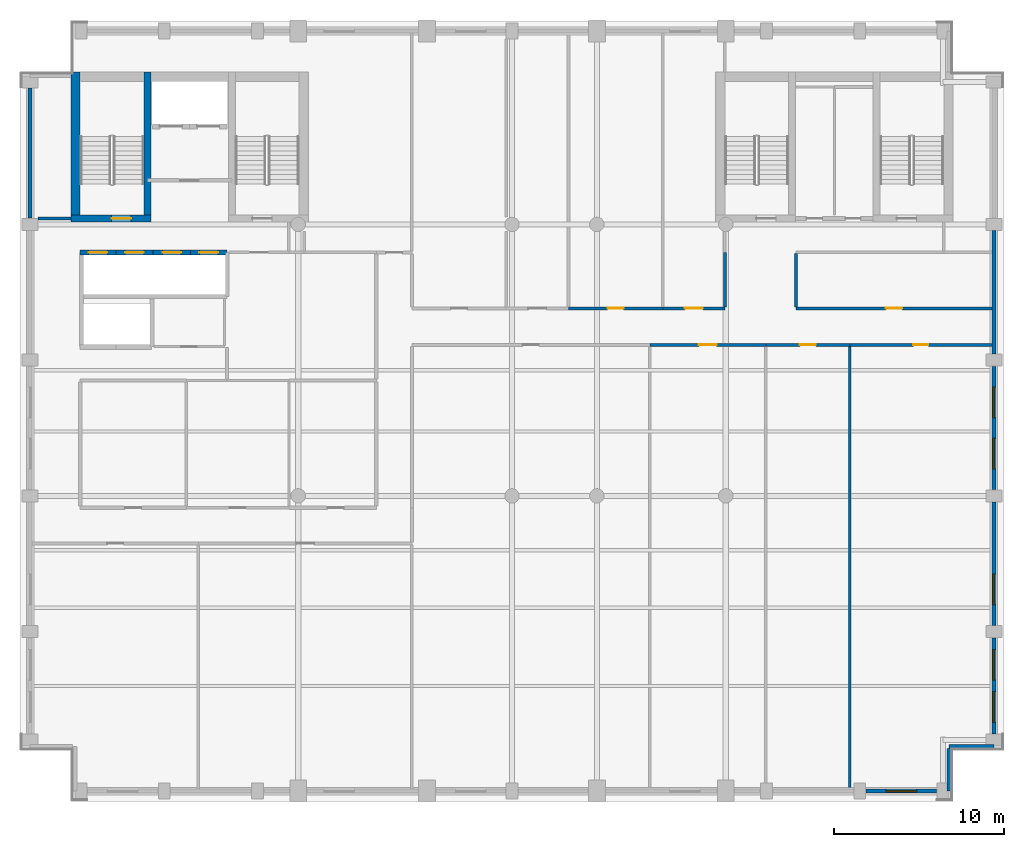
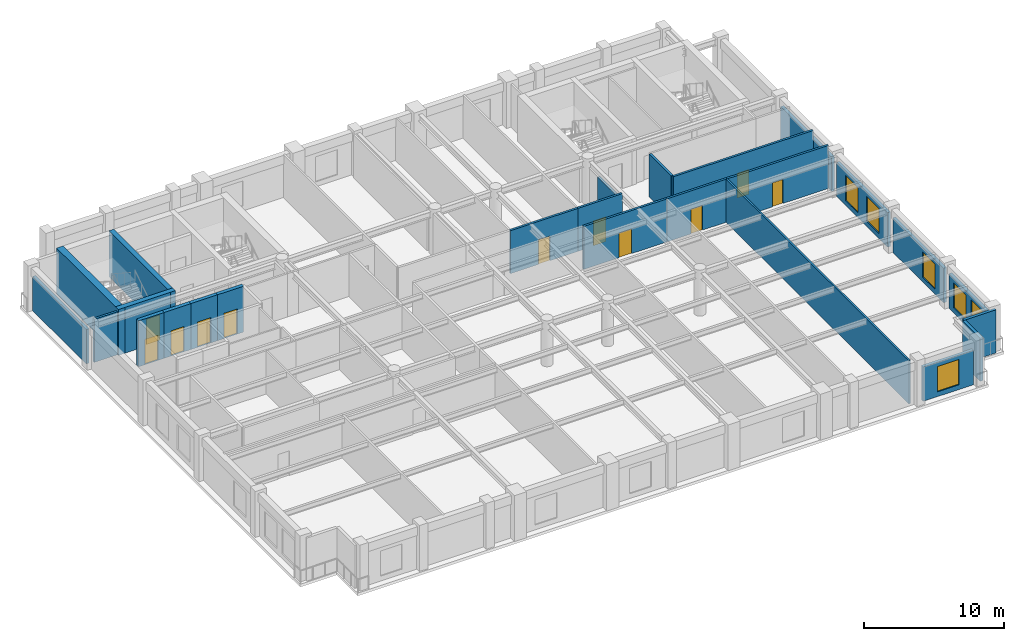
# One storey, part 4 of 9: 25 walls, 11 doors, 6 windows, 17 openings.
"""IFC4 building model written with IfcOpenShell, lengths in metres."""

from ifc_helpers import new_model, si_unit, direction, frame, frame_2d, origin, place, context, subcontext, project, spatial, rectangle, extrude, material, layer, layer_set, type_object, element, fill, save


model = new_model("IFC4")

# Units and contexts
model_context = context("Model", 3, precision=1e-05, world=origin(), true_north=direction((0.0, 1.0)))
body_context = subcontext(model_context, "Body", "Model", "MODEL_VIEW")
ifc_project = project(units=[si_unit("LENGTHUNIT", "METRE"), si_unit("AREAUNIT", "SQUARE_METRE"), si_unit("VOLUMEUNIT", "CUBIC_METRE"), si_unit("PLANEANGLEUNIT", "RADIAN"), si_unit("MASSUNIT", "GRAM", prefix="KILO")], contexts=[model_context])

# Site, building, storey
site_placement = place(None, origin())
site = spatial("IfcSite", under=ifc_project, at=site_placement, CompositionType="ELEMENT")
building_placement = place(site_placement, origin())
building = spatial("IfcBuilding", under=site, at=building_placement, Name="Sulina Concourse Tower", CompositionType="ELEMENT")
storey_placement = place(building_placement, frame((0.0, 0.0, 272.60009765625)))
storey = spatial("IfcBuildingStorey", under=building, at=storey_placement, Name="L66", CompositionType="ELEMENT", Elevation=272.60009765625)

# Wall, opening, door
ifc_material_1 = material(Name="Concrete C50/60", Category="concrete")
ifc_layer_1 = layer(ifc_material_1, 0.300048828125)
ifc_layer_set_1 = layer_set([ifc_layer_1], Name="Concrete C50/60")
wall_type_1 = type_object("IfcWallType", Name="Core Lift Hoistway Wall 300mm", PredefinedType="SOLIDWALL", material=ifc_layer_set_1)
wall_1_placement = place(storey_placement, frame((3.550048828125, 32.35009765625, 0.0), z_axis=(0.0, 0.0, 1.0), x_axis=(1.0, 0.0, 0.0)))
wall_1 = element("IfcWall", 1, at=wall_1_placement, inside=storey, type_object=wall_type_1, Name="L66 hoistway enclosure wall LP-09", PredefinedType="SOLIDWALL", context=body_context, shape_type="SweptSolid", body=[
    extrude(rectangle(XDim=2.099853515625, YDim=0.300048828125, at=frame_2d((1.0498046875, 0.0))), origin(), (0.0, 0.0, 1.0), 4.0),
])
opening_1_placement = place(wall_1_placement, frame((0.5, 0.0, 0.0)))
opening_1 = element("IfcOpeningElement", 2, at=opening_1_placement, cuts=wall_1, Name="Opening LD-01", PredefinedType="OPENING", context=body_context, shape_type="SweptSolid", body=[
    extrude(rectangle(XDim=1.10009765625, YDim=2.199951171875, at=frame_2d((0.550048828125, 1.10009765625))), frame((0.0, 0.159912109375, 0.0), z_axis=(0.0, -1.0, 0.0), x_axis=(1.0, 0.0, 0.0)), (0.0, 0.0, 1.0), 0.320068359375),
])
ifc_material_2 = material(Name="Stainless steel lift landing door", Category="steel")
ifc_layer_2 = layer(ifc_material_2, 0.050048828125)
ifc_layer_set_2 = layer_set([ifc_layer_2], Name="Stainless steel lift landing door")
door_type_1 = type_object("IfcDoorType", Name="Passenger Lift Sliding Landing Door 1100x2200", OperationType="SLIDING_TO_LEFT", PredefinedType="DOOR", material=ifc_layer_set_2)
door_1_placement = place(opening_1_placement, origin())
door_1 = element("IfcDoor", 3, at=door_1_placement, inside=storey, type_object=door_type_1, Name="L66 lift landing sliding door LP-09", OperationType="SLIDING_TO_LEFT", OverallHeight=2.199951171875, OverallWidth=1.10009765625, PredefinedType="DOOR", context=body_context, shape_type="SweptSolid", body=[
    extrude(rectangle(XDim=1.10009765625, YDim=2.199951171875, at=frame_2d((0.550048828125, 1.10009765625))), frame((0.0, 0.02490234375, 0.0), z_axis=(0.0, -1.0, 0.0), x_axis=(1.0, 0.0, 0.0)), (0.0, 0.0, 1.0), 0.050048828125),
])
fill(opening_1, door_1)

wall_2_placement = place(storey_placement, frame((5.64990234375, 32.35009765625, 0.0), z_axis=(0.0, 0.0, 1.0), x_axis=(1.0, 0.0, 0.0)))
wall_2 = element("IfcWall", 4, at=wall_2_placement, inside=storey, type_object=wall_type_1, Name="L66 hoistway enclosure wall LP-10", PredefinedType="SOLIDWALL", context=body_context, shape_type="SweptSolid", body=[
    extrude(rectangle(XDim=2.2001953125, YDim=0.300048828125, at=frame_2d((1.10009765625, 0.0))), origin(), (0.0, 0.0, 1.0), 4.0),
])
opening_2_placement = place(wall_2_placement, frame((0.550048828125, 0.0, 0.0)))
opening_2 = element("IfcOpeningElement", 5, at=opening_2_placement, cuts=wall_2, Name="Opening LD-01", PredefinedType="OPENING", context=body_context, shape_type="SweptSolid", body=[
    extrude(rectangle(XDim=1.10009765625, YDim=2.199951171875, at=frame_2d((0.550048828125, 1.10009765625))), frame((0.0, 0.159912109375, 0.0), z_axis=(0.0, -1.0, 0.0), x_axis=(1.0, 0.0, 0.0)), (0.0, 0.0, 1.0), 0.320068359375),
])
door_2_placement = place(opening_2_placement, origin())
door_2 = element("IfcDoor", 6, at=door_2_placement, inside=storey, type_object=door_type_1, Name="L66 lift landing sliding door LP-10", OperationType="SLIDING_TO_RIGHT", OverallHeight=2.199951171875, OverallWidth=1.10009765625, PredefinedType="DOOR", context=body_context, shape_type="SweptSolid", body=[
    extrude(rectangle(XDim=1.10009765625, YDim=2.199951171875, at=frame_2d((0.550048828125, 1.10009765625))), frame((0.0, 0.02490234375, 0.0), z_axis=(0.0, -1.0, 0.0), x_axis=(1.0, 0.0, 0.0)), (0.0, 0.0, 1.0), 0.050048828125),
])
fill(opening_2, door_2)

wall_3_placement = place(storey_placement, frame((7.85009765625, 32.35009765625, 0.0), z_axis=(0.0, 0.0, 1.0), x_axis=(1.0, 0.0, 0.0)))
wall_3 = element("IfcWall", 7, at=wall_3_placement, inside=storey, type_object=wall_type_1, Name="L66 hoistway enclosure wall LP-11", PredefinedType="SOLIDWALL", context=body_context, shape_type="SweptSolid", body=[
    extrude(rectangle(XDim=2.199951171875, YDim=0.300048828125, at=frame_2d((1.10009765625, 0.0))), origin(), (0.0, 0.0, 1.0), 4.0),
])
opening_3_placement = place(wall_3_placement, frame((0.550048828125, 0.0, 0.0)))
opening_3 = element("IfcOpeningElement", 8, at=opening_3_placement, cuts=wall_3, Name="Opening LD-01", PredefinedType="OPENING", context=body_context, shape_type="SweptSolid", body=[
    extrude(rectangle(XDim=1.10009765625, YDim=2.199951171875, at=frame_2d((0.550048828125, 1.10009765625))), frame((0.0, 0.159912109375, 0.0), z_axis=(0.0, -1.0, 0.0), x_axis=(1.0, 0.0, 0.0)), (0.0, 0.0, 1.0), 0.320068359375),
])
door_3_placement = place(opening_3_placement, origin())
door_3 = element("IfcDoor", 9, at=door_3_placement, inside=storey, type_object=door_type_1, Name="L66 lift landing sliding door LP-11", OperationType="SLIDING_TO_LEFT", OverallHeight=2.199951171875, OverallWidth=1.10009765625, PredefinedType="DOOR", context=body_context, shape_type="SweptSolid", body=[
    extrude(rectangle(XDim=1.10009765625, YDim=2.199951171875, at=frame_2d((0.550048828125, 1.10009765625))), frame((0.0, 0.02490234375, 0.0), z_axis=(0.0, -1.0, 0.0), x_axis=(1.0, 0.0, 0.0)), (0.0, 0.0, 1.0), 0.050048828125),
])
fill(opening_3, door_3)

wall_4_placement = place(storey_placement, frame((10.050048828125, 32.35009765625, 0.0), z_axis=(0.0, 0.0, 1.0), x_axis=(1.0, 0.0, 0.0)))
wall_4 = element("IfcWall", 10, at=wall_4_placement, inside=storey, type_object=wall_type_1, Name="L66 hoistway enclosure wall LP-12", PredefinedType="SOLIDWALL", context=body_context, shape_type="SweptSolid", body=[
    extrude(rectangle(XDim=2.14990234375, YDim=0.300048828125, at=frame_2d((1.074951171875, 0.0))), origin(), (0.0, 0.0, 1.0), 4.0),
])
opening_4_placement = place(wall_4_placement, frame((0.52490234375, 0.0, 0.0)))
opening_4 = element("IfcOpeningElement", 11, at=opening_4_placement, cuts=wall_4, Name="Opening LD-01", PredefinedType="OPENING", context=body_context, shape_type="SweptSolid", body=[
    extrude(rectangle(XDim=1.10009765625, YDim=2.199951171875, at=frame_2d((0.550048828125, 1.10009765625))), frame((0.0, 0.159912109375, 0.0), z_axis=(0.0, -1.0, 0.0), x_axis=(1.0, 0.0, 0.0)), (0.0, 0.0, 1.0), 0.320068359375),
])
door_4_placement = place(opening_4_placement, origin())
door_4 = element("IfcDoor", 12, at=door_4_placement, inside=storey, type_object=door_type_1, Name="L66 lift landing sliding door LP-12", OperationType="SLIDING_TO_RIGHT", OverallHeight=2.199951171875, OverallWidth=1.10009765625, PredefinedType="DOOR", context=body_context, shape_type="SweptSolid", body=[
    extrude(rectangle(XDim=1.10009765625, YDim=2.199951171875, at=frame_2d((0.550048828125, 1.10009765625))), frame((0.0, 0.02490234375, 0.0), z_axis=(0.0, -1.0, 0.0), x_axis=(1.0, 0.0, 0.0)), (0.0, 0.0, 1.0), 0.050048828125),
])
fill(opening_4, door_4)

# Wall, opening, window
ifc_material_3 = material(Name="Precast concrete C50/60", Category="concrete")
ifc_layer_3 = layer(ifc_material_3, 0.239990234375)
ifc_layer_set_3 = layer_set([ifc_layer_3], Name="Precast concrete C50/60")
wall_type_2 = type_object("IfcWallType", Name="Crown Precast Masonry-Frame Facade Wall 240mm", PredefinedType="SOLIDWALL", material=ifc_layer_set_3)
wall_5_placement = place(storey_placement, frame((54.030029296875, 0.60009765625, 0.0), z_axis=(0.0, 0.0, 1.0), x_axis=(-1.0, 0.0, 0.0)))
wall_5 = element("IfcWall", 13, at=wall_5_placement, inside=storey, type_object=wall_type_2, Name="L66 exterior precast wall S10", PredefinedType="SOLIDWALL", context=body_context, shape_type="SweptSolid", body=[
    extrude(rectangle(XDim=4.159912109375, YDim=0.239990234375, at=frame_2d((2.080078125, 0.0))), origin(), (0.0, 0.0, 1.0), 3.0),
])
opening_5_placement = place(wall_5_placement, frame((1.179931640625, 0.0, 0.419921875)))
opening_5 = element("IfcOpeningElement", 14, at=opening_5_placement, cuts=wall_5, Name="Opening WN-25", PredefinedType="OPENING", context=body_context, shape_type="SweptSolid", body=[
    extrude(rectangle(XDim=1.800048828125, YDim=2.199951171875, at=frame_2d((0.89990234375, 1.10009765625))), frame((0.0, 0.1298828125, 0.0), z_axis=(0.0, -1.0, 0.0), x_axis=(1.0, 0.0, 0.0)), (0.0, 0.0, 1.0), 0.260009765625),
])
ifc_material_4 = material(Name="Low-E solar double glazing in bronze aluminium", Category="aluminium")
window_type = type_object("IfcWindowType", Name="Punched Masonry-Frame Window 1800x2200", PartitioningType="SINGLE_PANEL", PredefinedType="WINDOW", material=ifc_material_4)
window_1_placement = place(opening_5_placement, origin())
window_1 = element("IfcWindow", 15, at=window_1_placement, inside=storey, type_object=window_type, Name="L66 punched window S10-1", OverallHeight=2.199951171875, OverallWidth=1.800048828125, PartitioningType="SINGLE_PANEL", PredefinedType="WINDOW", context=body_context, shape_type="SweptSolid", body=[
    extrude(rectangle(XDim=1.800048828125, YDim=2.199951171875, at=frame_2d((0.89990234375, 1.10009765625))), frame((0.0, 0.030029296875, 0.0), z_axis=(0.0, -1.0, 0.0), x_axis=(1.0, 0.0, 0.0)), (0.0, 0.0, 1.0), 0.06005859375),
])
fill(opening_5, window_1)

# Wall
wall_6_placement = place(storey_placement, frame((0.60009765625, 34.3701171875, 0.0), z_axis=(0.0, 0.0, 1.0), x_axis=(0.0, 1.0, 0.0)))
element("IfcWall", 16, at=wall_6_placement, inside=storey, type_object=wall_type_2, Name="L66 exterior precast wall W5", PredefinedType="SOLIDWALL", context=body_context, shape_type="SweptSolid", body=[
    extrude(rectangle(XDim=7.659912109375, YDim=0.239990234375, at=frame_2d((3.830078125, 0.0))), origin(), (0.0, 0.0, 1.0), 3.0),
])

# Wall, openings, windows
wall_7_placement = place(storey_placement, frame((57.39990234375, 9.6298828125, 0.0), z_axis=(0.0, 0.0, 1.0), x_axis=(0.0, -1.0, 0.0)))
wall_7 = element("IfcWall", 17, at=wall_7_placement, inside=storey, type_object=wall_type_2, Name="L66 exterior precast wall E1", PredefinedType="SOLIDWALL", context=body_context, shape_type="SweptSolid", body=[
    extrude(rectangle(XDim=5.659912109375, YDim=0.239990234375, at=frame_2d((2.830078125, 0.0))), origin(), (0.0, 0.0, 1.0), 3.0),
])
opening_6_placement = place(wall_7_placement, frame((0.686767578125, 0.0, 0.419921875)))
opening_6 = element("IfcOpeningElement", 18, at=opening_6_placement, cuts=wall_7, Name="Opening WN-25", PredefinedType="OPENING", context=body_context, shape_type="SweptSolid", body=[
    extrude(rectangle(XDim=1.800048828125, YDim=2.199951171875, at=frame_2d((0.89990234375, 1.10009765625))), frame((0.0, 0.1298828125, 0.0), z_axis=(0.0, -1.0, 0.0), x_axis=(1.0, 0.0, 0.0)), (0.0, 0.0, 1.0), 0.260009765625),
])
opening_7_placement = place(wall_7_placement, frame((3.17333984375, 0.0, 0.419921875)))
opening_7 = element("IfcOpeningElement", 19, at=opening_7_placement, cuts=wall_7, Name="Opening WN-25", PredefinedType="OPENING", context=body_context, shape_type="SweptSolid", body=[
    extrude(rectangle(XDim=1.800048828125, YDim=2.199951171875, at=frame_2d((0.89990234375, 1.10009765625))), frame((0.0, 0.1298828125, 0.0), z_axis=(0.0, -1.0, 0.0), x_axis=(1.0, 0.0, 0.0)), (0.0, 0.0, 1.0), 0.260009765625),
])
window_2_placement = place(opening_6_placement, origin())
window_2 = element("IfcWindow", 20, at=window_2_placement, inside=storey, type_object=window_type, Name="L66 punched window E1-1", OverallHeight=2.199951171875, OverallWidth=1.800048828125, PartitioningType="SINGLE_PANEL", PredefinedType="WINDOW", context=body_context, shape_type="SweptSolid", body=[
    extrude(rectangle(XDim=1.800048828125, YDim=2.199951171875, at=frame_2d((0.89990234375, 1.10009765625))), frame((0.0, 0.030029296875, 0.0), z_axis=(0.0, -1.0, 0.0), x_axis=(1.0, 0.0, 0.0)), (0.0, 0.0, 1.0), 0.06005859375),
])
fill(opening_6, window_2)
window_3_placement = place(opening_7_placement, origin())
window_3 = element("IfcWindow", 21, at=window_3_placement, inside=storey, type_object=window_type, Name="L66 punched window E1-2", OverallHeight=2.199951171875, OverallWidth=1.800048828125, PartitioningType="SINGLE_PANEL", PredefinedType="WINDOW", context=body_context, shape_type="SweptSolid", body=[
    extrude(rectangle(XDim=1.800048828125, YDim=2.199951171875, at=frame_2d((0.89990234375, 1.10009765625))), frame((0.0, 0.030029296875, 0.0), z_axis=(0.0, -1.0, 0.0), x_axis=(1.0, 0.0, 0.0)), (0.0, 0.0, 1.0), 0.06005859375),
])
fill(opening_7, window_3)

# Wall, opening, window
wall_8_placement = place(storey_placement, frame((57.39990234375, 17.6298828125, 0.0), z_axis=(0.0, 0.0, 1.0), x_axis=(0.0, -1.0, 0.0)))
wall_8 = element("IfcWall", 22, at=wall_8_placement, inside=storey, type_object=wall_type_2, Name="L66 exterior precast wall E2", PredefinedType="SOLIDWALL", context=body_context, shape_type="SweptSolid", body=[
    extrude(rectangle(XDim=7.259765625, YDim=0.239990234375, at=frame_2d((3.6298828125, 0.0))), origin(), (0.0, 0.0, 1.0), 3.0),
])
opening_8_placement = place(wall_8_placement, frame((4.239990234375, 0.0, 0.419921875)))
opening_8 = element("IfcOpeningElement", 23, at=opening_8_placement, cuts=wall_8, Name="Opening WN-25", PredefinedType="OPENING", context=body_context, shape_type="SweptSolid", body=[
    extrude(rectangle(XDim=1.800048828125, YDim=2.199951171875, at=frame_2d((0.89990234375, 1.10009765625))), frame((0.0, 0.1298828125, 0.0), z_axis=(0.0, -1.0, 0.0), x_axis=(1.0, 0.0, 0.0)), (0.0, 0.0, 1.0), 0.260009765625),
])
window_4_placement = place(opening_8_placement, origin())
window_4 = element("IfcWindow", 24, at=window_4_placement, inside=storey, type_object=window_type, Name="L66 punched window E2-1", OverallHeight=2.199951171875, OverallWidth=1.800048828125, PartitioningType="SINGLE_PANEL", PredefinedType="WINDOW", context=body_context, shape_type="SweptSolid", body=[
    extrude(rectangle(XDim=1.800048828125, YDim=2.199951171875, at=frame_2d((0.89990234375, 1.10009765625))), frame((0.0, 0.030029296875, 0.0), z_axis=(0.0, -1.0, 0.0), x_axis=(1.0, 0.0, 0.0)), (0.0, 0.0, 1.0), 0.06005859375),
])
fill(opening_8, window_4)

# Wall, openings, windows
wall_9_placement = place(storey_placement, frame((57.39990234375, 25.6298828125, 0.0), z_axis=(0.0, 0.0, 1.0), x_axis=(0.0, -1.0, 0.0)))
wall_9 = element("IfcWall", 25, at=wall_9_placement, inside=storey, type_object=wall_type_2, Name="L66 exterior precast wall E3", PredefinedType="SOLIDWALL", context=body_context, shape_type="SweptSolid", body=[
    extrude(rectangle(XDim=7.259765625, YDim=0.239990234375, at=frame_2d((3.6298828125, 0.0))), origin(), (0.0, 0.0, 1.0), 3.0),
])
opening_9_placement = place(wall_9_placement, frame((1.219970703125, 0.0, 0.419921875)))
opening_9 = element("IfcOpeningElement", 26, at=opening_9_placement, cuts=wall_9, Name="Opening WN-25", PredefinedType="OPENING", context=body_context, shape_type="SweptSolid", body=[
    extrude(rectangle(XDim=1.800048828125, YDim=2.199951171875, at=frame_2d((0.89990234375, 1.10009765625))), frame((0.0, 0.1298828125, 0.0), z_axis=(0.0, -1.0, 0.0), x_axis=(1.0, 0.0, 0.0)), (0.0, 0.0, 1.0), 0.260009765625),
])
opening_10_placement = place(wall_9_placement, frame((4.239990234375, 0.0, 0.419921875)))
opening_10 = element("IfcOpeningElement", 27, at=opening_10_placement, cuts=wall_9, Name="Opening WN-25", PredefinedType="OPENING", context=body_context, shape_type="SweptSolid", body=[
    extrude(rectangle(XDim=1.800048828125, YDim=2.199951171875, at=frame_2d((0.89990234375, 1.10009765625))), frame((0.0, 0.1298828125, 0.0), z_axis=(0.0, -1.0, 0.0), x_axis=(1.0, 0.0, 0.0)), (0.0, 0.0, 1.0), 0.260009765625),
])
window_5_placement = place(opening_9_placement, origin())
window_5 = element("IfcWindow", 28, at=window_5_placement, inside=storey, type_object=window_type, Name="L66 punched window E3-1", OverallHeight=2.199951171875, OverallWidth=1.800048828125, PartitioningType="SINGLE_PANEL", PredefinedType="WINDOW", context=body_context, shape_type="SweptSolid", body=[
    extrude(rectangle(XDim=1.800048828125, YDim=2.199951171875, at=frame_2d((0.89990234375, 1.10009765625))), frame((0.0, 0.030029296875, 0.0), z_axis=(0.0, -1.0, 0.0), x_axis=(1.0, 0.0, 0.0)), (0.0, 0.0, 1.0), 0.06005859375),
])
fill(opening_9, window_5)
window_6_placement = place(opening_10_placement, origin())
window_6 = element("IfcWindow", 29, at=window_6_placement, inside=storey, type_object=window_type, Name="L66 punched window E3-2", OverallHeight=2.199951171875, OverallWidth=1.800048828125, PartitioningType="SINGLE_PANEL", PredefinedType="WINDOW", context=body_context, shape_type="SweptSolid", body=[
    extrude(rectangle(XDim=1.800048828125, YDim=2.199951171875, at=frame_2d((0.89990234375, 1.10009765625))), frame((0.0, 0.030029296875, 0.0), z_axis=(0.0, -1.0, 0.0), x_axis=(1.0, 0.0, 0.0)), (0.0, 0.0, 1.0), 0.06005859375),
])
fill(opening_10, window_6)

# Walls
wall_10_placement = place(storey_placement, frame((57.39990234375, 33.6298828125, 0.0), z_axis=(0.0, 0.0, 1.0), x_axis=(0.0, -1.0, 0.0)))
element("IfcWall", 30, at=wall_10_placement, inside=storey, type_object=wall_type_2, Name="L66 exterior precast wall E4", PredefinedType="SOLIDWALL", context=body_context, shape_type="SweptSolid", body=[
    extrude(rectangle(XDim=7.259765625, YDim=0.239990234375, at=frame_2d((3.6298828125, 0.0))), origin(), (0.0, 0.0, 1.0), 3.0),
])
wall_11_placement = place(storey_placement, frame((57.39990234375, 3.22998046875, 0.0), z_axis=(0.0, 0.0, 1.0), x_axis=(-1.0, 0.0, 0.0)))
element("IfcWall", 31, at=wall_11_placement, inside=storey, type_object=wall_type_2, Name="L66 exterior precast wall CSE1", PredefinedType="SOLIDWALL", context=body_context, shape_type="SweptSolid", body=[
    extrude(rectangle(XDim=2.6298828125, YDim=0.239990234375, at=frame_2d((1.31494140625, 0.0))), origin(), (0.0, 0.0, 1.0), 3.75),
])
wall_12_placement = place(storey_placement, frame((54.77001953125, 3.10498046875, 0.0), z_axis=(0.0, 0.0, 1.0), x_axis=(0.0, -1.0, 0.0)))
element("IfcWall", 32, at=wall_12_placement, inside=storey, type_object=wall_type_2, Name="L66 exterior precast wall CSE2", PredefinedType="SOLIDWALL", context=body_context, shape_type="SweptSolid", body=[
    extrude(rectangle(XDim=2.5048828125, YDim=0.239990234375, at=frame_2d((1.25244140625, 0.0))), origin(), (0.0, 0.0, 1.0), 3.75),
])
ifc_material_5 = material(Name="Gypsum board on steel stud", Category="steel")
ifc_layer_4 = layer(ifc_material_5, 0.14990234375)
ifc_layer_set_4 = layer_set([ifc_layer_4], Name="Gypsum board on steel stud")
wall_type_3 = type_object("IfcWallType", Name="Inter-Tenancy Acoustic Partition 150mm", PredefinedType="PARTITIONING", material=ifc_layer_set_4)
wall_13_placement = place(storey_placement, frame((48.919921875, 0.719970703125, 0.0), z_axis=(0.0, 0.0, 1.0), x_axis=(0.0, 1.0, 0.0)))
element("IfcWall", 33, at=wall_13_placement, inside=storey, type_object=wall_type_3, Name="L66 interior partition 055", PredefinedType="PARTITIONING", context=body_context, shape_type="SweptSolid", body=[
    extrude(rectangle(XDim=26.090087890625, YDim=0.14990234375, at=frame_2d((13.044921875, 0.0))), origin(), (0.0, 0.0, 1.0), 3.75),
])

# Wall, opening, door
ifc_material_6 = material(Name="Gypsum board on steel stud", Category="steel")
ifc_layer_5 = layer(ifc_material_6, 0.179931640625)
ifc_layer_set_5 = layer_set([ifc_layer_5], Name="Gypsum board on steel stud")
wall_type_4 = type_object("IfcWallType", Name="Protected Corridor & Riser Partition 180mm", PredefinedType="PARTITIONING", material=ifc_layer_set_5)
wall_14_placement = place(storey_placement, frame((37.1201171875, 26.89990234375, 0.0), z_axis=(0.0, 0.0, 1.0), x_axis=(1.0, 0.0, 0.0)))
wall_14 = element("IfcWall", 34, at=wall_14_placement, inside=storey, type_object=wall_type_4, Name="L66 interior partition 012", PredefinedType="PARTITIONING", context=body_context, shape_type="SweptSolid", body=[
    extrude(rectangle(XDim=6.83984375, YDim=0.179931640625, at=frame_2d((3.419921875, 0.0))), origin(), (0.0, 0.0, 1.0), 3.75),
])
opening_11_placement = place(wall_14_placement, frame((2.89501953125, 0.0, 0.0)))
opening_11 = element("IfcOpeningElement", 35, at=opening_11_placement, cuts=wall_14, Name="Opening DR-37", PredefinedType="OPENING", context=body_context, shape_type="SweptSolid", body=[
    extrude(rectangle(XDim=1.050048828125, YDim=2.14990234375, at=frame_2d((0.52490234375, 1.074951171875))), frame((0.0, 0.099853515625, 0.0), z_axis=(0.0, -1.0, 0.0), x_axis=(1.0, 0.0, 0.0)), (0.0, 0.0, 1.0), 0.199951171875),
])
ifc_material_7 = material(Name="Oak-veneered fire door leaf")
ifc_layer_6 = layer(ifc_material_7, 0.050048828125)
ifc_layer_set_6 = layer_set([ifc_layer_6], Name="Oak-veneered fire door leaf")
door_type_2 = type_object("IfcDoorType", Name="Tenant Suite Entrance Fire Door 1050x2150", OperationType="NOTDEFINED", PredefinedType="DOOR", material=ifc_layer_set_6)
door_5_placement = place(opening_11_placement, origin())
door_5 = element("IfcDoor", 36, at=door_5_placement, inside=storey, type_object=door_type_2, Name="L66 interior door L66-S04A", OperationType="SINGLE_SWING_LEFT", OverallHeight=2.14990234375, OverallWidth=1.050048828125, PredefinedType="DOOR", context=body_context, shape_type="SweptSolid", body=[
    extrude(rectangle(XDim=1.050048828125, YDim=2.14990234375, at=frame_2d((0.52490234375, 1.074951171875))), frame((0.0, 0.02490234375, 0.0), z_axis=(0.0, -1.0, 0.0), x_axis=(1.0, 0.0, 0.0)), (0.0, 0.0, 1.0), 0.050048828125),
])
fill(opening_11, door_5)

wall_15_placement = place(storey_placement, frame((43.9599609375, 26.89990234375, 0.0), z_axis=(0.0, 0.0, 1.0), x_axis=(1.0, 0.0, 0.0)))
wall_15 = element("IfcWall", 37, at=wall_15_placement, inside=storey, type_object=wall_type_4, Name="L66 interior partition 013", PredefinedType="PARTITIONING", context=body_context, shape_type="SweptSolid", body=[
    extrude(rectangle(XDim=4.9599609375, YDim=0.179931640625, at=frame_2d((2.47998046875, 0.0))), origin(), (0.0, 0.0, 1.0), 3.75),
])
opening_12_placement = place(wall_15_placement, frame((2.0048828125, 0.0, 0.0)))
opening_12 = element("IfcOpeningElement", 38, at=opening_12_placement, cuts=wall_15, Name="Opening DR-19", PredefinedType="OPENING", context=body_context, shape_type="SweptSolid", body=[
    extrude(rectangle(XDim=0.949951171875, YDim=2.14990234375, at=frame_2d((0.47509765625, 1.074951171875))), frame((0.0, 0.099853515625, 0.0), z_axis=(0.0, -1.0, 0.0), x_axis=(1.0, 0.0, 0.0)), (0.0, 0.0, 1.0), 0.199951171875),
])
ifc_material_8 = material(Name="Oak-veneered acoustic timber leaf", Category="wood")
ifc_layer_7 = layer(ifc_material_8, 0.050048828125)
ifc_layer_set_7 = layer_set([ifc_layer_7], Name="Oak-veneered acoustic timber leaf")
door_type_3 = type_object("IfcDoorType", Name="Cellular Office & Meeting Door 950x2150", OperationType="NOTDEFINED", PredefinedType="DOOR", material=ifc_layer_set_7)
door_6_placement = place(opening_12_placement, origin())
door_6 = element("IfcDoor", 39, at=door_6_placement, inside=storey, type_object=door_type_3, Name="L66 interior door L66-S04B", OperationType="SINGLE_SWING_RIGHT", OverallHeight=2.14990234375, OverallWidth=0.949951171875, PredefinedType="DOOR", context=body_context, shape_type="SweptSolid", body=[
    extrude(rectangle(XDim=0.949951171875, YDim=2.14990234375, at=frame_2d((0.47509765625, 1.074951171875))), frame((0.0, 0.02490234375, 0.0), z_axis=(0.0, -1.0, 0.0), x_axis=(1.0, 0.0, 0.0)), (0.0, 0.0, 1.0), 0.050048828125),
])
fill(opening_12, door_6)

wall_16_placement = place(storey_placement, frame((48.919921875, 26.89990234375, 0.0), z_axis=(0.0, 0.0, 1.0), x_axis=(1.0, 0.0, 0.0)))
wall_16 = element("IfcWall", 40, at=wall_16_placement, inside=storey, type_object=wall_type_4, Name="L66 interior partition 014", PredefinedType="PARTITIONING", context=body_context, shape_type="SweptSolid", body=[
    extrude(rectangle(XDim=8.360107421875, YDim=0.179931640625, at=frame_2d((4.18017578125, 0.0))), origin(), (0.0, 0.0, 1.0), 3.75),
])
opening_13_placement = place(wall_16_placement, frame((3.739990234375, 0.0, 0.0)))
opening_13 = element("IfcOpeningElement", 41, at=opening_13_placement, cuts=wall_16, Name="Opening DR-38", PredefinedType="OPENING", context=body_context, shape_type="SweptSolid", body=[
    extrude(rectangle(XDim=0.8798828125, YDim=2.10009765625, at=frame_2d((0.43994140625, 1.050048828125))), frame((0.0, 0.099853515625, 0.0), z_axis=(0.0, -1.0, 0.0), x_axis=(1.0, 0.0, 0.0)), (0.0, 0.0, 1.0), 0.199951171875),
])
ifc_material_9 = material(Name="Galvanised steel acoustic fire leaf", Category="steel")
ifc_layer_8 = layer(ifc_material_9, 0.050048828125)
ifc_layer_set_8 = layer_set([ifc_layer_8], Name="Galvanised steel acoustic fire leaf")
door_type_4 = type_object("IfcDoorType", Name="Service Riser Fire Door 880x2100", OperationType="NOTDEFINED", PredefinedType="DOOR", material=ifc_layer_set_8)
door_7_placement = place(opening_13_placement, origin())
door_7 = element("IfcDoor", 42, at=door_7_placement, inside=storey, type_object=door_type_4, Name="L66 interior door L66-S05", OperationType="SINGLE_SWING_LEFT", OverallHeight=2.10009765625, OverallWidth=0.8798828125, PredefinedType="DOOR", context=body_context, shape_type="SweptSolid", body=[
    extrude(rectangle(XDim=0.8798828125, YDim=2.10009765625, at=frame_2d((0.43994140625, 1.050048828125))), frame((0.0, 0.02490234375, 0.0), z_axis=(0.0, -1.0, 0.0), x_axis=(1.0, 0.0, 0.0)), (0.0, 0.0, 1.0), 0.050048828125),
])
fill(opening_13, door_7)

wall_17_placement = place(storey_placement, frame((32.330078125, 29.050048828125, 0.0), z_axis=(0.0, 0.0, 1.0), x_axis=(1.0, 0.0, 0.0)))
wall_17 = element("IfcWall", 43, at=wall_17_placement, inside=storey, type_object=wall_type_4, Name="L66 interior partition 017", PredefinedType="PARTITIONING", context=body_context, shape_type="SweptSolid", body=[
    extrude(rectangle(XDim=5.559814453125, YDim=0.179931640625, at=frame_2d((2.77978515625, 0.0))), origin(), (0.0, 0.0, 1.0), 3.75),
])
opening_14_placement = place(wall_17_placement, frame((2.304931640625, 0.0, 0.0)))
opening_14 = element("IfcOpeningElement", 44, at=opening_14_placement, cuts=wall_17, Name="Opening DR-19", PredefinedType="OPENING", context=body_context, shape_type="SweptSolid", body=[
    extrude(rectangle(XDim=0.949951171875, YDim=2.14990234375, at=frame_2d((0.47509765625, 1.074951171875))), frame((0.0, 0.099853515625, 0.0), z_axis=(0.0, -1.0, 0.0), x_axis=(1.0, 0.0, 0.0)), (0.0, 0.0, 1.0), 0.199951171875),
])
door_8_placement = place(opening_14_placement, origin())
door_8 = element("IfcDoor", 45, at=door_8_placement, inside=storey, type_object=door_type_3, Name="L66 interior door L66-NC3", OperationType="SINGLE_SWING_RIGHT", OverallHeight=2.14990234375, OverallWidth=0.949951171875, PredefinedType="DOOR", context=body_context, shape_type="SweptSolid", body=[
    extrude(rectangle(XDim=0.949951171875, YDim=2.14990234375, at=frame_2d((0.47509765625, 1.074951171875))), frame((0.0, 0.02490234375, 0.0), z_axis=(0.0, -1.0, 0.0), x_axis=(1.0, 0.0, 0.0)), (0.0, 0.0, 1.0), 0.050048828125),
])
fill(opening_14, door_8)

wall_18_placement = place(storey_placement, frame((37.889892578125, 29.050048828125, 0.0), z_axis=(0.0, 0.0, 1.0), x_axis=(1.0, 0.0, 0.0)))
wall_18 = element("IfcWall", 46, at=wall_18_placement, inside=storey, type_object=wall_type_4, Name="L66 interior partition 018", PredefinedType="PARTITIONING", context=body_context, shape_type="SweptSolid", body=[
    extrude(rectangle(XDim=3.66015625, YDim=0.179931640625, at=frame_2d((1.830078125, 0.0))), origin(), (0.0, 0.0, 1.0), 3.75),
])
opening_15_placement = place(wall_18_placement, frame((1.304931640625, 0.0, 0.0)))
opening_15 = element("IfcOpeningElement", 47, at=opening_15_placement, cuts=wall_18, Name="Opening DR-37", PredefinedType="OPENING", context=body_context, shape_type="SweptSolid", body=[
    extrude(rectangle(XDim=1.050048828125, YDim=2.14990234375, at=frame_2d((0.52490234375, 1.074951171875))), frame((0.0, 0.099853515625, 0.0), z_axis=(0.0, -1.0, 0.0), x_axis=(1.0, 0.0, 0.0)), (0.0, 0.0, 1.0), 0.199951171875),
])
door_9_placement = place(opening_15_placement, origin())
door_9 = element("IfcDoor", 48, at=door_9_placement, inside=storey, type_object=door_type_2, Name="L66 interior door L66-NC4", OperationType="SINGLE_SWING_LEFT", OverallHeight=2.14990234375, OverallWidth=1.050048828125, PredefinedType="DOOR", context=body_context, shape_type="SweptSolid", body=[
    extrude(rectangle(XDim=1.050048828125, YDim=2.14990234375, at=frame_2d((0.52490234375, 1.074951171875))), frame((0.0, 0.02490234375, 0.0), z_axis=(0.0, -1.0, 0.0), x_axis=(1.0, 0.0, 0.0)), (0.0, 0.0, 1.0), 0.050048828125),
])
fill(opening_15, door_9)

wall_19_placement = place(storey_placement, frame((45.75, 29.050048828125, 0.0), z_axis=(0.0, 0.0, 1.0), x_axis=(1.0, 0.0, 0.0)))
wall_19 = element("IfcWall", 49, at=wall_19_placement, inside=storey, type_object=wall_type_4, Name="L66 interior partition 019", PredefinedType="PARTITIONING", context=body_context, shape_type="SweptSolid", body=[
    extrude(rectangle(XDim=11.530029296875, YDim=0.179931640625, at=frame_2d((5.76513671875, 0.0))), origin(), (0.0, 0.0, 1.0), 3.75),
])
opening_16_placement = place(wall_19_placement, frame((5.2900390625, 0.0, 0.0)))
opening_16 = element("IfcOpeningElement", 50, at=opening_16_placement, cuts=wall_19, Name="Opening DR-19", PredefinedType="OPENING", context=body_context, shape_type="SweptSolid", body=[
    extrude(rectangle(XDim=0.949951171875, YDim=2.14990234375, at=frame_2d((0.47509765625, 1.074951171875))), frame((0.0, 0.099853515625, 0.0), z_axis=(0.0, -1.0, 0.0), x_axis=(1.0, 0.0, 0.0)), (0.0, 0.0, 1.0), 0.199951171875),
])
door_10_placement = place(opening_16_placement, origin())
door_10 = element("IfcDoor", 51, at=door_10_placement, inside=storey, type_object=door_type_3, Name="L66 interior door L66-NE1", OperationType="SINGLE_SWING_RIGHT", OverallHeight=2.14990234375, OverallWidth=0.949951171875, PredefinedType="DOOR", context=body_context, shape_type="SweptSolid", body=[
    extrude(rectangle(XDim=0.949951171875, YDim=2.14990234375, at=frame_2d((0.47509765625, 1.074951171875))), frame((0.0, 0.02490234375, 0.0), z_axis=(0.0, -1.0, 0.0), x_axis=(1.0, 0.0, 0.0)), (0.0, 0.0, 1.0), 0.050048828125),
])
fill(opening_16, door_10)

# Walls
wall_20_placement = place(storey_placement, frame((1.074951171875, 34.35009765625, 0.0), z_axis=(0.0, 0.0, 1.0), x_axis=(1.0, 0.0, 0.0)))
element("IfcWall", 52, at=wall_20_placement, inside=storey, type_object=wall_type_4, Name="L66 interior partition 026", PredefinedType="PARTITIONING", context=body_context, shape_type="SweptSolid", body=[
    extrude(rectangle(XDim=1.925048828125, YDim=0.179931640625, at=frame_2d((0.96240234375, 0.0))), origin(), (0.0, 0.0, 1.0), 3.75),
])
wall_21_placement = place(storey_placement, frame((41.550048828125, 29.139892578125, 0.0), z_axis=(0.0, 0.0, 1.0), x_axis=(0.0, 1.0, 0.0)))
element("IfcWall", 53, at=wall_21_placement, inside=storey, type_object=wall_type_4, Name="L66 interior partition 049", PredefinedType="PARTITIONING", context=body_context, shape_type="SweptSolid", body=[
    extrude(rectangle(XDim=3.210205078125, YDim=0.179931640625, at=frame_2d((1.60498046875, 0.0))), origin(), (0.0, 0.0, 1.0), 3.19482421875),
])
wall_22_placement = place(storey_placement, frame((45.75, 29.139892578125, 0.0), z_axis=(0.0, 0.0, 1.0), x_axis=(0.0, 1.0, 0.0)))
element("IfcWall", 54, at=wall_22_placement, inside=storey, type_object=wall_type_4, Name="L66 interior partition 053", PredefinedType="PARTITIONING", context=body_context, shape_type="SweptSolid", body=[
    extrude(rectangle(XDim=3.135009765625, YDim=0.179931640625, at=frame_2d((1.5673828125, 0.0))), origin(), (0.0, 0.0, 1.0), 3.75),
])

# Wall, opening, door
ifc_material_10 = material(Name="Concrete C60/75", Category="concrete")
ifc_layer_9 = layer(ifc_material_10, 0.39990234375)
ifc_layer_set_9 = layer_set([ifc_layer_9], Name="Concrete C60/75")
wall_type_5 = type_object("IfcWallType", Name="Protected Stair Core Shear Wall 400mm", PredefinedType="SHEAR", material=ifc_layer_set_9)
wall_23_placement = place(storey_placement, frame((3.0, 34.35009765625, 0.0), z_axis=(0.0, 0.0, 1.0), x_axis=(1.0, 0.0, 0.0)))
wall_23 = element("IfcWall", 55, at=wall_23_placement, inside=storey, type_object=wall_type_5, Name="L66 west core shear wall CW-WS1", PredefinedType="SHEAR", context=body_context, shape_type="SweptSolid", body=[
    extrude(rectangle(XDim=4.7099609375, YDim=0.39990234375, at=frame_2d((2.35498046875, 0.0))), origin(), (0.0, 0.0, 1.0), 4.0),
])
opening_17_placement = place(wall_23_placement, frame((2.39990234375, 0.0, 0.0)))
opening_17 = element("IfcOpeningElement", 56, at=opening_17_placement, cuts=wall_23, Name="Opening DR-60", PredefinedType="OPENING", context=body_context, shape_type="SweptSolid", body=[
    extrude(rectangle(XDim=1.14990234375, YDim=2.199951171875, at=frame_2d((0.574951171875, 1.10009765625))), frame((0.0, 0.2099609375, 0.0), z_axis=(0.0, -1.0, 0.0), x_axis=(1.0, 0.0, 0.0)), (0.0, 0.0, 1.0), 0.419921875),
])
ifc_material_11 = material(Name="Galvanised steel acoustic fire leaf", Category="steel")
ifc_layer_10 = layer(ifc_material_11, 0.054931640625)
ifc_layer_set_10 = layer_set([ifc_layer_10], Name="Galvanised steel acoustic fire leaf")
door_type_5 = type_object("IfcDoorType", Name="Protected Exit Stair Fire Door 1150x2200", OperationType="NOTDEFINED", PredefinedType="DOOR", material=ifc_layer_set_10)
door_11_placement = place(opening_17_placement, origin())
door_11 = element("IfcDoor", 57, at=door_11_placement, inside=storey, type_object=door_type_5, Name="L66 stair ST-1 lobby fire door", OperationType="SINGLE_SWING_LEFT", OverallHeight=2.199951171875, OverallWidth=1.14990234375, PredefinedType="DOOR", context=body_context, shape_type="SweptSolid", body=[
    extrude(rectangle(XDim=1.14990234375, YDim=2.199951171875, at=frame_2d((0.574951171875, 1.10009765625))), frame((0.0, 0.02490234375, 0.0), z_axis=(0.0, -1.0, 0.0), x_axis=(1.0, 0.0, 0.0)), (0.0, 0.0, 1.0), 0.050048828125),
])
fill(opening_17, door_11)

# Walls
wall_24_placement = place(storey_placement, frame((7.510009765625, 34.14990234375, 0.0), z_axis=(0.0, 0.0, 1.0), x_axis=(0.0, 1.0, 0.0)))
element("IfcWall", 58, at=wall_24_placement, inside=storey, type_object=wall_type_5, Name="L66 west core shear wall SW-ST1", PredefinedType="SHEAR", context=body_context, shape_type="SweptSolid", body=[
    extrude(rectangle(XDim=8.830078125, YDim=0.39990234375, at=frame_2d((4.4150390625, 0.0))), origin(), (0.0, 0.0, 1.0), 4.0),
])
ifc_material_12 = material(Name="Concrete C50/60", Category="concrete")
ifc_layer_11 = layer(ifc_material_12, 0.550048828125)
ifc_layer_set_11 = layer_set([ifc_layer_11], Name="Concrete C50/60")
wall_type_6 = type_object("IfcWallType", Name="Upper Core Shear Wall 550mm", PredefinedType="SHEAR", material=ifc_layer_set_11)
wall_25_placement = place(storey_placement, frame((3.27490234375, 34.14990234375, 0.0), z_axis=(0.0, 0.0, 1.0), x_axis=(0.0, 1.0, 0.0)))
element("IfcWall", 59, at=wall_25_placement, inside=storey, type_object=wall_type_6, Name="L66 west core shear wall CW-WW", PredefinedType="SHEAR", context=body_context, shape_type="SweptSolid", body=[
    extrude(rectangle(XDim=8.830078125, YDim=0.550048828125, at=frame_2d((4.4150390625, 0.0))), origin(), (0.0, 0.0, 1.0), 4.0),
])

save(model, "model.ifc")
